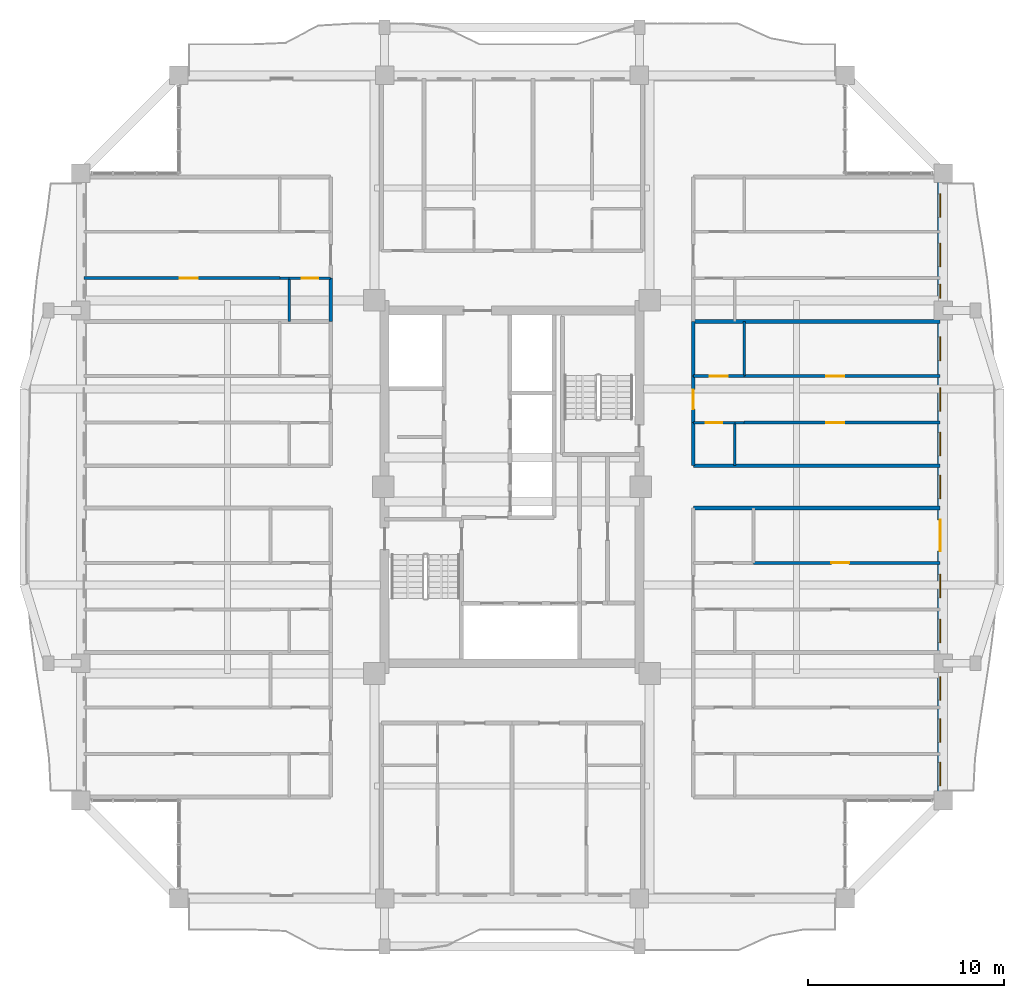
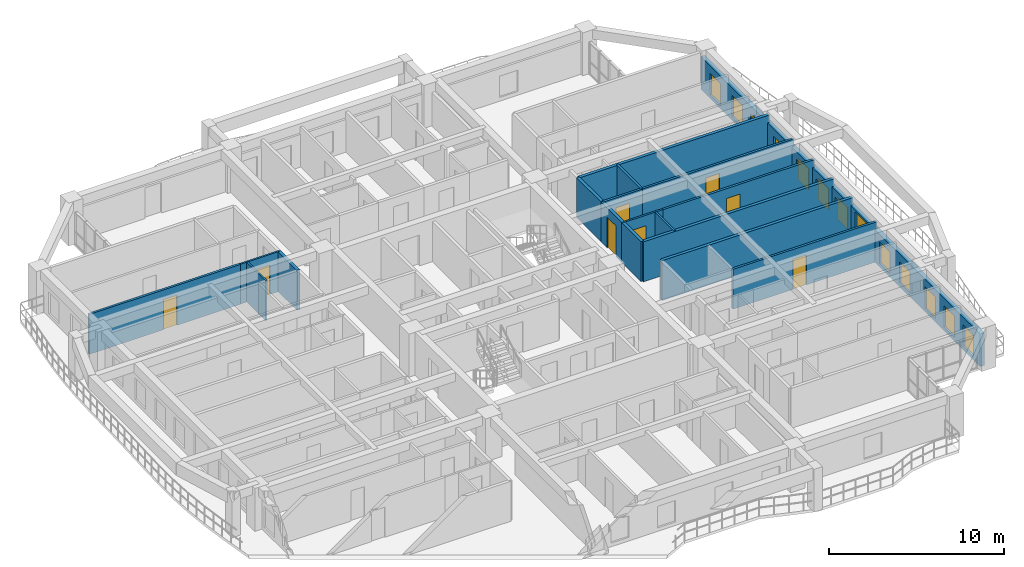
# One storey, part 15 of 23: 20 walls, 12 windows, 9 doors, 21 openings.
"""IFC4 building model written with IfcOpenShell, lengths in metres."""

from ifc_helpers import new_model, si_unit, direction, frame, frame_2d, origin, place, context, subcontext, project, spatial, rectangle, extrude, source, transform, mapped, material, layer, layer_set, type_object, element, fill, save


model = new_model("IFC4")

# Units and contexts
model_context = context("Model", 3, precision=1e-05, world=origin(), true_north=direction((0.0, 1.0)))
body_context = subcontext(model_context, "Body", "Model", "MODEL_VIEW")
ifc_project = project(units=[si_unit("LENGTHUNIT", "METRE"), si_unit("AREAUNIT", "SQUARE_METRE"), si_unit("VOLUMEUNIT", "CUBIC_METRE"), si_unit("PLANEANGLEUNIT", "RADIAN"), si_unit("MASSUNIT", "GRAM", prefix="KILO")], contexts=[model_context])

# Site, building, storey
site_placement = place(None, origin())
site = spatial("IfcSite", under=ifc_project, at=site_placement, CompositionType="ELEMENT")
building_placement = place(site_placement, origin())
building = spatial("IfcBuilding", under=site, at=building_placement, Name="Saelheon Loggia Tower", CompositionType="ELEMENT")
storey_placement = place(building_placement, frame((0.0, 0.0, 156.10009765625)))
storey = spatial("IfcBuildingStorey", under=building, at=storey_placement, Name="L49", CompositionType="ELEMENT", Elevation=156.10009765625)

# Wall, openings, windows, door
ifc_material_1 = material(Name="Architectural Precast Concrete C40/50", Category="concrete")
ifc_layer_1 = layer(ifc_material_1, 0.280029296875)
ifc_layer_set_1 = layer_set([ifc_layer_1], Name="Architectural Precast Concrete C40/50")
wall_type_1 = type_object("IfcWallType", Name="Wall_Ext_Loggia_280", PredefinedType="SOLIDWALL", material=ifc_layer_set_1)
wall_1_placement = place(storey_placement, frame((59.860107421875, 11.0, 0.0), z_axis=(0.0, 0.0, 1.0), x_axis=(0.0, 1.0, 0.0)))
wall_1 = element("IfcWall", 1, at=wall_1_placement, inside=storey, type_object=wall_type_1, Name="L49 East Loggia Inner Wall", PredefinedType="SOLIDWALL", context=body_context, shape_type="SweptSolid", body=[
    extrude(rectangle(XDim=32.0, YDim=0.280029296875, at=frame_2d((16.0, 0.0))), origin(), (0.0, 0.0, 1.0), 2.27978515625),
])
opening_1_placement = place(wall_1_placement, frame((0.74755859375, 0.0, 0.25)))
opening_1 = element("IfcOpeningElement", 2, at=opening_1_placement, cuts=wall_1, Name="Opening WN-03", PredefinedType="OPENING", context=body_context, shape_type="SweptSolid", body=[
    extrude(rectangle(XDim=1.199951171875, YDim=1.5, at=frame_2d((0.60009765625, 0.75))), frame((0.0, 0.152099609375, 0.0), z_axis=(0.0, -1.0, 0.0), x_axis=(1.0, 0.0, 0.0)), (0.0, 0.0, 1.0), 0.303955078125),
])
opening_2_placement = place(wall_1_placement, frame((2.964599609375, 0.0, 0.25)))
opening_2 = element("IfcOpeningElement", 3, at=opening_2_placement, cuts=wall_1, Name="Opening WN-03", PredefinedType="OPENING", context=body_context, shape_type="SweptSolid", body=[
    extrude(rectangle(XDim=1.199951171875, YDim=1.5, at=frame_2d((0.60009765625, 0.75))), frame((0.0, 0.152099609375, 0.0), z_axis=(0.0, -1.0, 0.0), x_axis=(1.0, 0.0, 0.0)), (0.0, 0.0, 1.0), 0.303955078125),
])
opening_3_placement = place(wall_1_placement, frame((5.1171875, 0.0, 0.25)))
opening_3 = element("IfcOpeningElement", 4, at=opening_3_placement, cuts=wall_1, Name="Opening WN-03", PredefinedType="OPENING", context=body_context, shape_type="SweptSolid", body=[
    extrude(rectangle(XDim=1.199951171875, YDim=1.5, at=frame_2d((0.60009765625, 0.75))), frame((0.0, 0.152099609375, 0.0), z_axis=(0.0, -1.0, 0.0), x_axis=(1.0, 0.0, 0.0)), (0.0, 0.0, 1.0), 0.303955078125),
])
opening_4_placement = place(wall_1_placement, frame((8.050048828125, 0.0, 0.25)))
opening_4 = element("IfcOpeningElement", 5, at=opening_4_placement, cuts=wall_1, Name="Opening WN-03", PredefinedType="OPENING", context=body_context, shape_type="SweptSolid", body=[
    extrude(rectangle(XDim=1.199951171875, YDim=1.5, at=frame_2d((0.60009765625, 0.75))), frame((0.0, 0.152099609375, 0.0), z_axis=(0.0, -1.0, 0.0), x_axis=(1.0, 0.0, 0.0)), (0.0, 0.0, 1.0), 0.303955078125),
])
opening_5_placement = place(wall_1_placement, frame((10.334716796875, 0.0, 0.25)))
opening_5 = element("IfcOpeningElement", 6, at=opening_5_placement, cuts=wall_1, Name="Opening WN-03", PredefinedType="OPENING", context=body_context, shape_type="SweptSolid", body=[
    extrude(rectangle(XDim=1.199951171875, YDim=1.5, at=frame_2d((0.60009765625, 0.75))), frame((0.0, 0.152099609375, 0.0), z_axis=(0.0, -1.0, 0.0), x_axis=(1.0, 0.0, 0.0)), (0.0, 0.0, 1.0), 0.303955078125),
])
opening_6_placement = place(wall_1_placement, frame((14.31982421875, 0.0, 0.0), z_axis=(0.0, 0.0, 1.0), x_axis=(-1.0, 0.0, 0.0)))
opening_6 = element("IfcOpeningElement", 7, at=opening_6_placement, cuts=wall_1, Name="Opening DLG-1", PredefinedType="OPENING", context=body_context, shape_type="SweptSolid", body=[
    extrude(rectangle(XDim=1.60009765625, YDim=2.14990234375, at=frame_2d((0.800048828125, 1.074951171875))), frame((0.0, 0.152099609375, 0.0), z_axis=(0.0, -1.0, 0.0), x_axis=(1.0, 0.0, 0.0)), (0.0, 0.0, 1.0), 0.303955078125),
])
opening_7_placement = place(wall_1_placement, frame((15.39990234375, 0.0, 0.25)))
opening_7 = element("IfcOpeningElement", 8, at=opening_7_placement, cuts=wall_1, Name="Opening WN-03", PredefinedType="OPENING", context=body_context, shape_type="SweptSolid", body=[
    extrude(rectangle(XDim=1.199951171875, YDim=1.5, at=frame_2d((0.60009765625, 0.75))), frame((0.0, 0.152099609375, 0.0), z_axis=(0.0, -1.0, 0.0), x_axis=(1.0, 0.0, 0.0)), (0.0, 0.0, 1.0), 0.303955078125),
])
opening_8_placement = place(wall_1_placement, frame((17.580078125, 0.0, 0.25)))
opening_8 = element("IfcOpeningElement", 9, at=opening_8_placement, cuts=wall_1, Name="Opening WN-03", PredefinedType="OPENING", context=body_context, shape_type="SweptSolid", body=[
    extrude(rectangle(XDim=1.199951171875, YDim=1.5, at=frame_2d((0.60009765625, 0.75))), frame((0.0, 0.152099609375, 0.0), z_axis=(0.0, -1.0, 0.0), x_axis=(1.0, 0.0, 0.0)), (0.0, 0.0, 1.0), 0.303955078125),
])
opening_9_placement = place(wall_1_placement, frame((19.86474609375, 0.0, 0.25)))
opening_9 = element("IfcOpeningElement", 10, at=opening_9_placement, cuts=wall_1, Name="Opening WN-03", PredefinedType="OPENING", context=body_context, shape_type="SweptSolid", body=[
    extrude(rectangle(XDim=1.199951171875, YDim=1.5, at=frame_2d((0.60009765625, 0.75))), frame((0.0, 0.152099609375, 0.0), z_axis=(0.0, -1.0, 0.0), x_axis=(1.0, 0.0, 0.0)), (0.0, 0.0, 1.0), 0.303955078125),
])
opening_10_placement = place(wall_1_placement, frame((22.44970703125, 0.0, 0.25)))
opening_10 = element("IfcOpeningElement", 11, at=opening_10_placement, cuts=wall_1, Name="Opening WN-03", PredefinedType="OPENING", context=body_context, shape_type="SweptSolid", body=[
    extrude(rectangle(XDim=1.199951171875, YDim=1.5, at=frame_2d((0.60009765625, 0.75))), frame((0.0, 0.152099609375, 0.0), z_axis=(0.0, -1.0, 0.0), x_axis=(1.0, 0.0, 0.0)), (0.0, 0.0, 1.0), 0.303955078125),
])
opening_11_placement = place(wall_1_placement, frame((25.632568359375, 0.0, 0.25)))
opening_11 = element("IfcOpeningElement", 12, at=opening_11_placement, cuts=wall_1, Name="Opening WN-06", PredefinedType="OPENING", context=body_context, shape_type="SweptSolid", body=[
    extrude(rectangle(XDim=0.699951171875, YDim=1.5, at=frame_2d((0.35009765625, 0.75))), frame((0.0, 0.152099609375, 0.0), z_axis=(0.0, -1.0, 0.0), x_axis=(1.0, 0.0, 0.0)), (0.0, 0.0, 1.0), 0.303955078125),
])
opening_12_placement = place(wall_1_placement, frame((27.234619140625, 0.0, 0.25)))
opening_12 = element("IfcOpeningElement", 13, at=opening_12_placement, cuts=wall_1, Name="Opening WN-03", PredefinedType="OPENING", context=body_context, shape_type="SweptSolid", body=[
    extrude(rectangle(XDim=1.199951171875, YDim=1.5, at=frame_2d((0.60009765625, 0.75))), frame((0.0, 0.152099609375, 0.0), z_axis=(0.0, -1.0, 0.0), x_axis=(1.0, 0.0, 0.0)), (0.0, 0.0, 1.0), 0.303955078125),
])
opening_13_placement = place(wall_1_placement, frame((29.752197265625, 0.0, 0.25)))
opening_13 = element("IfcOpeningElement", 14, at=opening_13_placement, cuts=wall_1, Name="Opening WN-03", PredefinedType="OPENING", context=body_context, shape_type="SweptSolid", body=[
    extrude(rectangle(XDim=1.199951171875, YDim=1.5, at=frame_2d((0.60009765625, 0.75))), frame((0.0, 0.152099609375, 0.0), z_axis=(0.0, -1.0, 0.0), x_axis=(1.0, 0.0, 0.0)), (0.0, 0.0, 1.0), 0.303955078125),
])
ifc_material_2 = material(Name="Thermal-Break Aluminium and Triple Low-E Glass", Category="aluminium")
window_type_1 = type_object("IfcWindowType", Name="Win_Slot_700x1500", PartitioningType="SINGLE_PANEL", PredefinedType="WINDOW", material=ifc_material_2)
shared_shape_1 = source(origin(), body_context, "Body", "SweptSolid", [
    extrude(rectangle(XDim=0.699951171875, YDim=1.5, at=frame_2d((0.35009765625, 0.75))), frame((0.0, 0.030029296875, 0.0), z_axis=(0.0, -1.0, 0.0), x_axis=(1.0, 0.0, 0.0)), (0.0, 0.0, 1.0), 0.06005859375),
])
window_1_placement = place(opening_11_placement, origin())
window_1 = element("IfcWindow", 15, at=window_1_placement, inside=storey, type_object=window_type_1, Name="L49 E Dwelling Window 11", OverallHeight=1.5, OverallWidth=0.699951171875, PartitioningType="SINGLE_PANEL", PredefinedType="WINDOW", context=body_context, shape_type="MappedRepresentation", body=[
    mapped(shared_shape_1, transform((0.0, 0.0, 0.0), scale=1.0)),
])
fill(opening_11, window_1)
window_type_2 = type_object("IfcWindowType", Name="Win_Bedroom_1200x1500", PartitioningType="SINGLE_PANEL", PredefinedType="WINDOW", material=ifc_material_2)
shared_shape_2 = source(origin(), body_context, "Body", "SweptSolid", [
    extrude(rectangle(XDim=1.199951171875, YDim=1.5, at=frame_2d((0.60009765625, 0.75))), frame((0.0, 0.030029296875, 0.0), z_axis=(0.0, -1.0, 0.0), x_axis=(1.0, 0.0, 0.0)), (0.0, 0.0, 1.0), 0.06005859375),
])
window_2_placement = place(opening_1_placement, origin())
window_2 = element("IfcWindow", 16, at=window_2_placement, inside=storey, type_object=window_type_2, Name="L49 E Dwelling Window 1", OverallHeight=1.5, OverallWidth=1.199951171875, PartitioningType="SINGLE_PANEL", PredefinedType="WINDOW", context=body_context, shape_type="MappedRepresentation", body=[
    mapped(shared_shape_2, transform((0.0, 0.0, 0.0), scale=1.0)),
])
fill(opening_1, window_2)
window_3_placement = place(opening_2_placement, origin())
window_3 = element("IfcWindow", 17, at=window_3_placement, inside=storey, type_object=window_type_2, Name="L49 E Dwelling Window 2", OverallHeight=1.5, OverallWidth=1.199951171875, PartitioningType="SINGLE_PANEL", PredefinedType="WINDOW", context=body_context, shape_type="MappedRepresentation", body=[
    mapped(shared_shape_2, transform((0.0, 0.0, 0.0), scale=1.0)),
])
fill(opening_2, window_3)
window_4_placement = place(opening_3_placement, origin())
window_4 = element("IfcWindow", 18, at=window_4_placement, inside=storey, type_object=window_type_2, Name="L49 E Dwelling Window 3", OverallHeight=1.5, OverallWidth=1.199951171875, PartitioningType="SINGLE_PANEL", PredefinedType="WINDOW", context=body_context, shape_type="MappedRepresentation", body=[
    mapped(shared_shape_2, transform((0.0, 0.0, 0.0), scale=1.0)),
])
fill(opening_3, window_4)
window_5_placement = place(opening_4_placement, origin())
window_5 = element("IfcWindow", 19, at=window_5_placement, inside=storey, type_object=window_type_2, Name="L49 E Dwelling Window 4", OverallHeight=1.5, OverallWidth=1.199951171875, PartitioningType="SINGLE_PANEL", PredefinedType="WINDOW", context=body_context, shape_type="MappedRepresentation", body=[
    mapped(shared_shape_2, transform((0.0, 0.0, 0.0), scale=1.0)),
])
fill(opening_4, window_5)
window_6_placement = place(opening_5_placement, origin())
window_6 = element("IfcWindow", 20, at=window_6_placement, inside=storey, type_object=window_type_2, Name="L49 E Dwelling Window 5", OverallHeight=1.5, OverallWidth=1.199951171875, PartitioningType="SINGLE_PANEL", PredefinedType="WINDOW", context=body_context, shape_type="MappedRepresentation", body=[
    mapped(shared_shape_2, transform((0.0, 0.0, 0.0), scale=1.0)),
])
fill(opening_5, window_6)
window_7_placement = place(opening_7_placement, origin())
window_7 = element("IfcWindow", 21, at=window_7_placement, inside=storey, type_object=window_type_2, Name="L49 E Dwelling Window 7", OverallHeight=1.5, OverallWidth=1.199951171875, PartitioningType="SINGLE_PANEL", PredefinedType="WINDOW", context=body_context, shape_type="MappedRepresentation", body=[
    mapped(shared_shape_2, transform((0.0, 0.0, 0.0), scale=1.0)),
])
fill(opening_7, window_7)
window_8_placement = place(opening_8_placement, origin())
window_8 = element("IfcWindow", 22, at=window_8_placement, inside=storey, type_object=window_type_2, Name="L49 E Dwelling Window 8", OverallHeight=1.5, OverallWidth=1.199951171875, PartitioningType="SINGLE_PANEL", PredefinedType="WINDOW", context=body_context, shape_type="MappedRepresentation", body=[
    mapped(shared_shape_2, transform((0.0, 0.0, 0.0), scale=1.0)),
])
fill(opening_8, window_8)
window_9_placement = place(opening_9_placement, origin())
window_9 = element("IfcWindow", 23, at=window_9_placement, inside=storey, type_object=window_type_2, Name="L49 E Dwelling Window 9", OverallHeight=1.5, OverallWidth=1.199951171875, PartitioningType="SINGLE_PANEL", PredefinedType="WINDOW", context=body_context, shape_type="MappedRepresentation", body=[
    mapped(shared_shape_2, transform((0.0, 0.0, 0.0), scale=1.0)),
])
fill(opening_9, window_9)
window_10_placement = place(opening_10_placement, origin())
window_10 = element("IfcWindow", 24, at=window_10_placement, inside=storey, type_object=window_type_2, Name="L49 E Dwelling Window 10", OverallHeight=1.5, OverallWidth=1.199951171875, PartitioningType="SINGLE_PANEL", PredefinedType="WINDOW", context=body_context, shape_type="MappedRepresentation", body=[
    mapped(shared_shape_2, transform((0.0, 0.0, 0.0), scale=1.0)),
])
fill(opening_10, window_10)
window_11_placement = place(opening_12_placement, origin())
window_11 = element("IfcWindow", 25, at=window_11_placement, inside=storey, type_object=window_type_2, Name="L49 E Dwelling Window 12", OverallHeight=1.5, OverallWidth=1.199951171875, PartitioningType="SINGLE_PANEL", PredefinedType="WINDOW", context=body_context, shape_type="MappedRepresentation", body=[
    mapped(shared_shape_2, transform((0.0, 0.0, 0.0), scale=1.0)),
])
fill(opening_12, window_11)
window_12_placement = place(opening_13_placement, origin())
window_12 = element("IfcWindow", 26, at=window_12_placement, inside=storey, type_object=window_type_2, Name="L49 E Dwelling Window 13", OverallHeight=1.5, OverallWidth=1.199951171875, PartitioningType="SINGLE_PANEL", PredefinedType="WINDOW", context=body_context, shape_type="MappedRepresentation", body=[
    mapped(shared_shape_2, transform((0.0, 0.0, 0.0), scale=1.0)),
])
fill(opening_13, window_12)
ifc_material_3 = material(Name="Thermal-Break Aluminium Sliding Glazed Door", Category="aluminium")
door_type_1 = type_object("IfcDoorType", Name="Door_LoggiaSlide_1600", OperationType="SLIDING_TO_LEFT", PredefinedType="DOOR", material=ifc_material_3)
shared_shape_3 = source(origin(), body_context, "Body", "SweptSolid", [
    extrude(rectangle(XDim=1.60009765625, YDim=2.14990234375, at=frame_2d((0.800048828125, 1.074951171875))), frame((0.0, 0.02490234375, 0.0), z_axis=(0.0, -1.0, 0.0), x_axis=(1.0, 0.0, 0.0)), (0.0, 0.0, 1.0), 0.050048828125),
])
door_1_placement = place(opening_6_placement, origin())
door_1 = element("IfcDoor", 27, at=door_1_placement, inside=storey, type_object=door_type_1, Name="L49 E Loggia Access Door", OperationType="SLIDING_TO_LEFT", OverallHeight=2.14990234375, OverallWidth=1.60009765625, PredefinedType="DOOR", context=body_context, shape_type="MappedRepresentation", body=[
    mapped(shared_shape_3, transform((0.0, 0.0, 0.0), scale=1.0)),
])
fill(opening_6, door_1)

# Wall, opening, door
ifc_material_4 = material(Name="Lightweight Autoclaved Aerated Concrete Block and Acoustic Gypsum", Category="concrete")
ifc_layer_2 = layer(ifc_material_4, 0.14990234375)
ifc_layer_set_2 = layer_set([ifc_layer_2], Name="Lightweight Autoclaved Aerated Concrete Block and Acoustic Gypsum")
wall_type_2 = type_object("IfcWallType", Name="Wall_Part_150", PredefinedType="PARTITIONING", material=ifc_layer_set_2)
wall_2_placement = place(storey_placement, frame((26.14990234375, 37.64990234375, 0.0), z_axis=(0.0, 0.0, 1.0), x_axis=(-1.0, 0.0, 0.0)))
wall_2 = element("IfcWall", 28, at=wall_2_placement, inside=storey, type_object=wall_type_2, Name="L49 WN Partition U21", PredefinedType="PARTITIONING", context=body_context, shape_type="SweptSolid", body=[
    extrude(rectangle(XDim=10.0, YDim=0.14990234375, at=frame_2d((5.0, 0.0))), origin(), (0.0, 0.0, 1.0), 2.789794921875),
])
opening_14_placement = place(wall_2_placement, frame((4.19091796875, 0.0, 0.0)))
opening_14 = element("IfcOpeningElement", 29, at=opening_14_placement, cuts=wall_2, Name="Opening D-IN2", PredefinedType="OPENING", context=body_context, shape_type="SweptSolid", body=[
    extrude(rectangle(XDim=0.89990234375, YDim=2.10009765625, at=frame_2d((0.449951171875, 1.050048828125))), frame((0.0, 0.0869140625, 0.0), z_axis=(0.0, -1.0, 0.0), x_axis=(1.0, 0.0, 0.0)), (0.0, 0.0, 1.0), 0.173828125),
])
ifc_material_5 = material(Name="Engineered Oak Flush Door", Category="timber")
door_type_2 = type_object("IfcDoorType", Name="Door_Int_900", OperationType="NOTDEFINED", PredefinedType="DOOR", material=ifc_material_5)
shared_shape_4 = source(origin(), body_context, "Body", "SweptSolid", [
    extrude(rectangle(XDim=0.89990234375, YDim=2.10009765625, at=frame_2d((0.449951171875, 1.050048828125))), frame((0.0, 0.02490234375, 0.0), z_axis=(0.0, -1.0, 0.0), x_axis=(1.0, 0.0, 0.0)), (0.0, 0.0, 1.0), 0.050048828125),
])
door_2_placement = place(opening_14_placement, origin())
door_2 = element("IfcDoor", 30, at=door_2_placement, inside=storey, type_object=door_type_2, Name="Unit U08 Kitchen Door", OperationType="SINGLE_SWING_RIGHT", OverallHeight=2.10009765625, OverallWidth=0.89990234375, PredefinedType="DOOR", context=body_context, shape_type="MappedRepresentation", body=[
    mapped(shared_shape_4, transform((0.0, 0.0, 0.0), scale=1.0)),
])
fill(opening_14, door_2)

wall_3_placement = place(storey_placement, frame((50.330078125, 23.119384765625, 0.0), z_axis=(0.0, 0.0, 1.0), x_axis=(1.0, 0.0, 0.0)))
wall_3 = element("IfcWall", 31, at=wall_3_placement, inside=storey, type_object=wall_type_2, Name="L49 ES Partition U23", PredefinedType="PARTITIONING", context=body_context, shape_type="SweptSolid", body=[
    extrude(rectangle(XDim=9.52001953125, YDim=0.14990234375, at=frame_2d((4.760009765625, 0.0))), origin(), (0.0, 0.0, 1.0), 2.789794921875),
])
opening_15_placement = place(wall_3_placement, frame((3.970703125, 0.0, 0.0)))
opening_15 = element("IfcOpeningElement", 32, at=opening_15_placement, cuts=wall_3, Name="Opening D-IN2", PredefinedType="OPENING", context=body_context, shape_type="SweptSolid", body=[
    extrude(rectangle(XDim=0.89990234375, YDim=2.10009765625, at=frame_2d((0.449951171875, 1.050048828125))), frame((0.0, 0.0869140625, 0.0), z_axis=(0.0, -1.0, 0.0), x_axis=(1.0, 0.0, 0.0)), (0.0, 0.0, 1.0), 0.173828125),
])
door_3_placement = place(opening_15_placement, origin())
door_3 = element("IfcDoor", 33, at=door_3_placement, inside=storey, type_object=door_type_2, Name="Unit U10 Bedroom 1 Door", OperationType="SINGLE_SWING_RIGHT", OverallHeight=2.10009765625, OverallWidth=0.89990234375, PredefinedType="DOOR", context=body_context, shape_type="MappedRepresentation", body=[
    mapped(shared_shape_4, transform((0.0, 0.0, 0.0), scale=1.0)),
])
fill(opening_15, door_3)

# Wall
wall_4_placement = place(storey_placement, frame((49.85009765625, 32.6494140625, 0.0), z_axis=(0.0, 0.0, 1.0), x_axis=(0.0, 1.0, 0.0)))
element("IfcWall", 34, at=wall_4_placement, inside=storey, type_object=wall_type_2, Name="L49 EN Partition V07", PredefinedType="PARTITIONING", context=body_context, shape_type="SweptSolid", body=[
    extrude(rectangle(XDim=2.800537109375, YDim=0.14990234375, at=frame_2d((1.400390625, 0.0))), origin(), (0.0, 0.0, 1.0), 2.789794921875),
])

# Wall, opening, door
wall_5_placement = place(storey_placement, frame((49.85009765625, 30.280029296875, 0.0), z_axis=(0.0, 0.0, 1.0), x_axis=(1.0, 0.0, 0.0)))
wall_5 = element("IfcWall", 35, at=wall_5_placement, inside=storey, type_object=wall_type_2, Name="L49 EN Partition U10", PredefinedType="PARTITIONING", context=body_context, shape_type="SweptSolid", body=[
    extrude(rectangle(XDim=10.0, YDim=0.14990234375, at=frame_2d((5.0, 0.0))), origin(), (0.0, 0.0, 1.0), 2.789794921875),
])
opening_16_placement = place(wall_5_placement, frame((4.19091796875, 0.0, 0.0)))
opening_16 = element("IfcOpeningElement", 36, at=opening_16_placement, cuts=wall_5, Name="Opening D-IN2", PredefinedType="OPENING", context=body_context, shape_type="SweptSolid", body=[
    extrude(rectangle(XDim=0.89990234375, YDim=2.10009765625, at=frame_2d((0.449951171875, 1.050048828125))), frame((0.0, 0.0869140625, 0.0), z_axis=(0.0, -1.0, 0.0), x_axis=(1.0, 0.0, 0.0)), (0.0, 0.0, 1.0), 0.173828125),
])
door_4_placement = place(opening_16_placement, origin())
door_4 = element("IfcDoor", 37, at=door_4_placement, inside=storey, type_object=door_type_2, Name="Unit U11 Kitchen Door", OperationType="SINGLE_SWING_LEFT", OverallHeight=2.10009765625, OverallWidth=0.89990234375, PredefinedType="DOOR", context=body_context, shape_type="MappedRepresentation", body=[
    mapped(shared_shape_4, transform((0.0, 0.0, 0.0), scale=1.0)),
])
fill(opening_16, door_4)

wall_6_placement = place(storey_placement, frame((47.25, 32.6494140625, 0.0), z_axis=(0.0, 0.0, 1.0), x_axis=(1.0, 0.0, 0.0)))
wall_6 = element("IfcWall", 38, at=wall_6_placement, inside=storey, type_object=wall_type_2, Name="L49 EN Partition U11", PredefinedType="PARTITIONING", context=body_context, shape_type="SweptSolid", body=[
    extrude(rectangle(XDim=2.60009765625, YDim=0.14990234375, at=frame_2d((1.300048828125, 0.0))), origin(), (0.0, 0.0, 1.0), 2.789794921875),
])
opening_17_placement = place(wall_6_placement, frame((0.85009765625, 0.0, 0.0)))
opening_17 = element("IfcOpeningElement", 39, at=opening_17_placement, cuts=wall_6, Name="Opening D-IN2", PredefinedType="OPENING", context=body_context, shape_type="SweptSolid", body=[
    extrude(rectangle(XDim=0.89990234375, YDim=2.10009765625, at=frame_2d((0.449951171875, 1.050048828125))), frame((0.0, 0.0869140625, 0.0), z_axis=(0.0, -1.0, 0.0), x_axis=(1.0, 0.0, 0.0)), (0.0, 0.0, 1.0), 0.173828125),
])
door_5_placement = place(opening_17_placement, origin())
door_5 = element("IfcDoor", 40, at=door_5_placement, inside=storey, type_object=door_type_2, Name="Unit U11 Dressing Closet Door", OperationType="SINGLE_SWING_RIGHT", OverallHeight=2.10009765625, OverallWidth=0.89990234375, PredefinedType="DOOR", context=body_context, shape_type="MappedRepresentation", body=[
    mapped(shared_shape_4, transform((0.0, 0.0, 0.0), scale=1.0)),
])
fill(opening_17, door_5)

wall_7_placement = place(storey_placement, frame((49.85009765625, 32.6494140625, 0.0), z_axis=(0.0, 0.0, 1.0), x_axis=(1.0, 0.0, 0.0)))
wall_7 = element("IfcWall", 41, at=wall_7_placement, inside=storey, type_object=wall_type_2, Name="L49 EN Partition U12", PredefinedType="PARTITIONING", context=body_context, shape_type="SweptSolid", body=[
    extrude(rectangle(XDim=10.0, YDim=0.14990234375, at=frame_2d((5.0, 0.0))), origin(), (0.0, 0.0, 1.0), 2.789794921875),
])
opening_18_placement = place(wall_7_placement, frame((4.19091796875, 0.0, 0.0)))
opening_18 = element("IfcOpeningElement", 42, at=opening_18_placement, cuts=wall_7, Name="Opening D-IN2", PredefinedType="OPENING", context=body_context, shape_type="SweptSolid", body=[
    extrude(rectangle(XDim=0.89990234375, YDim=2.10009765625, at=frame_2d((0.449951171875, 1.050048828125))), frame((0.0, 0.0869140625, 0.0), z_axis=(0.0, -1.0, 0.0), x_axis=(1.0, 0.0, 0.0)), (0.0, 0.0, 1.0), 0.173828125),
])
door_6_placement = place(opening_18_placement, origin())
door_6 = element("IfcDoor", 43, at=door_6_placement, inside=storey, type_object=door_type_2, Name="Unit U11 Bedroom 1 Door", OperationType="SINGLE_SWING_LEFT", OverallHeight=2.10009765625, OverallWidth=0.89990234375, PredefinedType="DOOR", context=body_context, shape_type="MappedRepresentation", body=[
    mapped(shared_shape_4, transform((0.0, 0.0, 0.0), scale=1.0)),
])
fill(opening_18, door_6)

# Walls
ifc_material_6 = material(Name="Double Acoustic Stud and Fireboard Partition", Category="gypsum")
ifc_layer_3 = layer(ifc_material_6, 0.199951171875)
ifc_layer_set_3 = layer_set([ifc_layer_3], Name="Double Acoustic Stud and Fireboard Partition")
wall_type_3 = type_object("IfcWallType", Name="Wall_Party_200", PredefinedType="PARTITIONING", material=ifc_layer_set_3)
wall_8_placement = place(storey_placement, frame((28.75, 35.449951171875, 0.0), z_axis=(0.0, 0.0, 1.0), x_axis=(0.0, 1.0, 0.0)))
element("IfcWall", 44, at=wall_8_placement, inside=storey, type_object=wall_type_3, Name="L49 WN Partition V14", PredefinedType="PARTITIONING", context=body_context, shape_type="SweptSolid", body=[
    extrude(rectangle(XDim=2.199951171875, YDim=0.199951171875, at=frame_2d((1.10009765625, 0.0))), origin(), (0.0, 0.0, 1.0), 2.789794921875),
])
for number, where, z_axis, x_axis, name in (
    (45, (47.25, 25.919921875, 0.0), (0.0, 0.0, 1.0), (1.0, 0.0, 0.0), "L49 ES Partition U02"),
    (46, (47.25, 28.080078125, 0.0), (0.0, 0.0, 1.0), (1.0, 0.0, 0.0), "L49 EN Partition U01"),
):
    element("IfcWall", number, at=place(storey_placement, frame(where, z_axis=z_axis, x_axis=x_axis)), inside=storey, type_object=wall_type_3, Name=name, PredefinedType="PARTITIONING", context=body_context, shape_type="SweptSolid", body=[
        extrude(rectangle(XDim=12.60009765625, YDim=0.199951171875, at=frame_2d((6.300048828125, 0.0))), origin(), (0.0, 0.0, 1.0), 2.789794921875),
    ])
wall_9_placement = place(storey_placement, frame((47.25, 28.080078125, 0.0), z_axis=(0.0, 0.0, 1.0), x_axis=(0.0, 1.0, 0.0)))
element("IfcWall", 47, at=wall_9_placement, inside=storey, type_object=wall_type_3, Name="L49 EN Partition V03", PredefinedType="PARTITIONING", context=body_context, shape_type="SweptSolid", body=[
    extrude(rectangle(XDim=2.199951171875, YDim=0.199951171875, at=frame_2d((1.10009765625, 0.0))), origin(), (0.0, 0.0, 1.0), 2.789794921875),
])

# Wall, opening, door
wall_10_placement = place(storey_placement, frame((47.25, 30.280029296875, 0.0), z_axis=(0.0, 0.0, 1.0), x_axis=(0.0, 1.0, 0.0)))
wall_10 = element("IfcWall", 48, at=wall_10_placement, inside=storey, type_object=wall_type_3, Name="L49 EN Partition V04", PredefinedType="PARTITIONING", context=body_context, shape_type="SweptSolid", body=[
    extrude(rectangle(XDim=2.369384765625, YDim=0.199951171875, at=frame_2d((1.1845703125, 0.0))), origin(), (0.0, 0.0, 1.0), 2.789794921875),
])
opening_19_placement = place(wall_10_placement, frame((0.684814453125, 0.0, 0.0)))
opening_19 = element("IfcOpeningElement", 49, at=opening_19_placement, cuts=wall_10, Name="Opening D-FD1", PredefinedType="OPENING", context=body_context, shape_type="SweptSolid", body=[
    extrude(rectangle(XDim=1.0, YDim=2.14990234375, at=frame_2d((0.5, 1.074951171875))), frame((0.0, 0.112060546875, 0.0), z_axis=(0.0, -1.0, 0.0), x_axis=(1.0, 0.0, 0.0)), (0.0, 0.0, 1.0), 0.223876953125),
])
ifc_material_7 = material(Name="Fire-Rated Engineered Timber Entrance Door", Category="wood")
door_type_3 = type_object("IfcDoorType", Name="Door_Flat_FD30S", OperationType="NOTDEFINED", PredefinedType="DOOR", material=ifc_material_7)
shared_shape_5 = source(origin(), body_context, "Body", "SweptSolid", [
    extrude(rectangle(XDim=1.0, YDim=2.14990234375, at=frame_2d((0.5, 1.074951171875))), frame((0.0, 0.02490234375, 0.0), z_axis=(0.0, -1.0, 0.0), x_axis=(1.0, 0.0, 0.0)), (0.0, 0.0, 1.0), 0.050048828125),
])
door_7_placement = place(opening_19_placement, origin())
door_7 = element("IfcDoor", 50, at=door_7_placement, inside=storey, type_object=door_type_3, Name="Unit U11 Entrance Door", OperationType="SINGLE_SWING_LEFT", OverallHeight=2.14990234375, OverallWidth=1.0, PredefinedType="DOOR", context=body_context, shape_type="MappedRepresentation", body=[
    mapped(shared_shape_5, transform((0.0, 0.0, 0.0), scale=1.0)),
])
fill(opening_19, door_7)

# Walls
wall_11_placement = place(storey_placement, frame((47.25, 32.6494140625, 0.0), z_axis=(0.0, 0.0, 1.0), x_axis=(0.0, 1.0, 0.0)))
element("IfcWall", 51, at=wall_11_placement, inside=storey, type_object=wall_type_3, Name="L49 EN Partition V05", PredefinedType="PARTITIONING", context=body_context, shape_type="SweptSolid", body=[
    extrude(rectangle(XDim=2.800537109375, YDim=0.199951171875, at=frame_2d((1.400390625, 0.0))), origin(), (0.0, 0.0, 1.0), 2.789794921875),
])
wall_12_placement = place(storey_placement, frame((47.25, 35.449951171875, 0.0), z_axis=(0.0, 0.0, 1.0), x_axis=(1.0, 0.0, 0.0)))
element("IfcWall", 52, at=wall_12_placement, inside=storey, type_object=wall_type_3, Name="L49 EN Partition U13", PredefinedType="PARTITIONING", context=body_context, shape_type="SweptSolid", body=[
    extrude(rectangle(XDim=12.60009765625, YDim=0.199951171875, at=frame_2d((6.300048828125, 0.0))), origin(), (0.0, 0.0, 1.0), 2.789794921875),
])
ifc_material_8 = material(Name="Moisture-Resistant Cement Board Partition", Category="gypsum")
ifc_layer_4 = layer(ifc_material_8, 0.1201171875)
ifc_layer_set_4 = layer_set([ifc_layer_4], Name="Moisture-Resistant Cement Board Partition")
wall_type_4 = type_object("IfcWallType", Name="Wall_WetPart_120", PredefinedType="PARTITIONING", material=ifc_layer_set_4)
wall_13_placement = place(storey_placement, frame((26.6298828125, 35.449951171875, 0.0), z_axis=(0.0, 0.0, 1.0), x_axis=(0.0, 1.0, 0.0)))
element("IfcWall", 53, at=wall_13_placement, inside=storey, type_object=wall_type_4, Name="L49 WN Partition V17", PredefinedType="PARTITIONING", context=body_context, shape_type="SweptSolid", body=[
    extrude(rectangle(XDim=2.199951171875, YDim=0.1201171875, at=frame_2d((1.10009765625, 0.0))), origin(), (0.0, 0.0, 1.0), 2.789794921875),
])

# Wall, opening, door
wall_14_placement = place(storey_placement, frame((28.75, 37.64990234375, 0.0), z_axis=(0.0, 0.0, 1.0), x_axis=(-1.0, 0.0, 0.0)))
wall_14 = element("IfcWall", 54, at=wall_14_placement, inside=storey, type_object=wall_type_4, Name="L49 WN Partition U19", PredefinedType="PARTITIONING", context=body_context, shape_type="SweptSolid", body=[
    extrude(rectangle(XDim=2.1201171875, YDim=0.1201171875, at=frame_2d((1.06005859375, 0.0))), origin(), (0.0, 0.0, 1.0), 2.789794921875),
])
opening_20_placement = place(wall_14_placement, frame((0.635009765625, 0.0, 0.0)))
opening_20 = element("IfcOpeningElement", 55, at=opening_20_placement, cuts=wall_14, Name="Opening D-BT1", PredefinedType="OPENING", context=body_context, shape_type="SweptSolid", body=[
    extrude(rectangle(XDim=0.85009765625, YDim=2.050048828125, at=frame_2d((0.425048828125, 1.02490234375))), frame((0.0, 0.072021484375, 0.0), z_axis=(0.0, -1.0, 0.0), x_axis=(1.0, 0.0, 0.0)), (0.0, 0.0, 1.0), 0.14404296875),
])
ifc_material_9 = material(Name="Moisture-Resistant Laminate Timber Door", Category="wood")
door_type_4 = type_object("IfcDoorType", Name="Door_Bath_850", OperationType="NOTDEFINED", PredefinedType="DOOR", material=ifc_material_9)
shared_shape_6 = source(origin(), body_context, "Body", "SweptSolid", [
    extrude(rectangle(XDim=0.85009765625, YDim=2.050048828125, at=frame_2d((0.425048828125, 1.02490234375))), frame((0.0, 0.02490234375, 0.0), z_axis=(0.0, -1.0, 0.0), x_axis=(1.0, 0.0, 0.0)), (0.0, 0.0, 1.0), 0.050048828125),
])
door_8_placement = place(opening_20_placement, origin())
door_8 = element("IfcDoor", 56, at=door_8_placement, inside=storey, type_object=door_type_4, Name="Unit U08 Bathroom Door", OperationType="SINGLE_SWING_LEFT", OverallHeight=2.050048828125, OverallWidth=0.85009765625, PredefinedType="DOOR", context=body_context, shape_type="MappedRepresentation", body=[
    mapped(shared_shape_6, transform((0.0, 0.0, 0.0), scale=1.0)),
])
fill(opening_20, door_8)

# Walls
wall_15_placement = place(storey_placement, frame((26.6298828125, 37.64990234375, 0.0), z_axis=(0.0, 0.0, 1.0), x_axis=(-1.0, 0.0, 0.0)))
element("IfcWall", 57, at=wall_15_placement, inside=storey, type_object=wall_type_4, Name="L49 WN Partition U20", PredefinedType="PARTITIONING", context=body_context, shape_type="SweptSolid", body=[
    extrude(rectangle(XDim=0.47998046875, YDim=0.1201171875, at=frame_2d((0.239990234375, 0.0))), origin(), (0.0, 0.0, 1.0), 2.789794921875),
])
wall_16_placement = place(storey_placement, frame((49.3701171875, 28.080078125, 0.0), z_axis=(0.0, 0.0, 1.0), x_axis=(0.0, 1.0, 0.0)))
element("IfcWall", 58, at=wall_16_placement, inside=storey, type_object=wall_type_4, Name="L49 EN Partition V06", PredefinedType="PARTITIONING", context=body_context, shape_type="SweptSolid", body=[
    extrude(rectangle(XDim=2.199951171875, YDim=0.1201171875, at=frame_2d((1.10009765625, 0.0))), origin(), (0.0, 0.0, 1.0), 2.789794921875),
])

# Wall, opening, door
wall_17_placement = place(storey_placement, frame((47.25, 30.280029296875, 0.0), z_axis=(0.0, 0.0, 1.0), x_axis=(1.0, 0.0, 0.0)))
wall_17 = element("IfcWall", 59, at=wall_17_placement, inside=storey, type_object=wall_type_4, Name="L49 EN Partition U08", PredefinedType="PARTITIONING", context=body_context, shape_type="SweptSolid", body=[
    extrude(rectangle(XDim=2.1201171875, YDim=0.1201171875, at=frame_2d((1.06005859375, 0.0))), origin(), (0.0, 0.0, 1.0), 2.789794921875),
])
opening_21_placement = place(wall_17_placement, frame((0.635009765625, 0.0, 0.0)))
opening_21 = element("IfcOpeningElement", 60, at=opening_21_placement, cuts=wall_17, Name="Opening D-BT1", PredefinedType="OPENING", context=body_context, shape_type="SweptSolid", body=[
    extrude(rectangle(XDim=0.85009765625, YDim=2.050048828125, at=frame_2d((0.425048828125, 1.02490234375))), frame((0.0, 0.072021484375, 0.0), z_axis=(0.0, -1.0, 0.0), x_axis=(1.0, 0.0, 0.0)), (0.0, 0.0, 1.0), 0.14404296875),
])
door_9_placement = place(opening_21_placement, origin())
door_9 = element("IfcDoor", 61, at=door_9_placement, inside=storey, type_object=door_type_4, Name="Unit U11 Bathroom Door", OperationType="SINGLE_SWING_RIGHT", OverallHeight=2.050048828125, OverallWidth=0.85009765625, PredefinedType="DOOR", context=body_context, shape_type="MappedRepresentation", body=[
    mapped(shared_shape_6, transform((0.0, 0.0, 0.0), scale=1.0)),
])
fill(opening_21, door_9)

# Wall
wall_18_placement = place(storey_placement, frame((49.3701171875, 30.280029296875, 0.0), z_axis=(0.0, 0.0, 1.0), x_axis=(1.0, 0.0, 0.0)))
element("IfcWall", 62, at=wall_18_placement, inside=storey, type_object=wall_type_4, Name="L49 EN Partition U09", PredefinedType="PARTITIONING", context=body_context, shape_type="SweptSolid", body=[
    extrude(rectangle(XDim=0.47998046875, YDim=0.1201171875, at=frame_2d((0.239990234375, 0.0))), origin(), (0.0, 0.0, 1.0), 2.789794921875),
])

save(model, "model.ifc")
